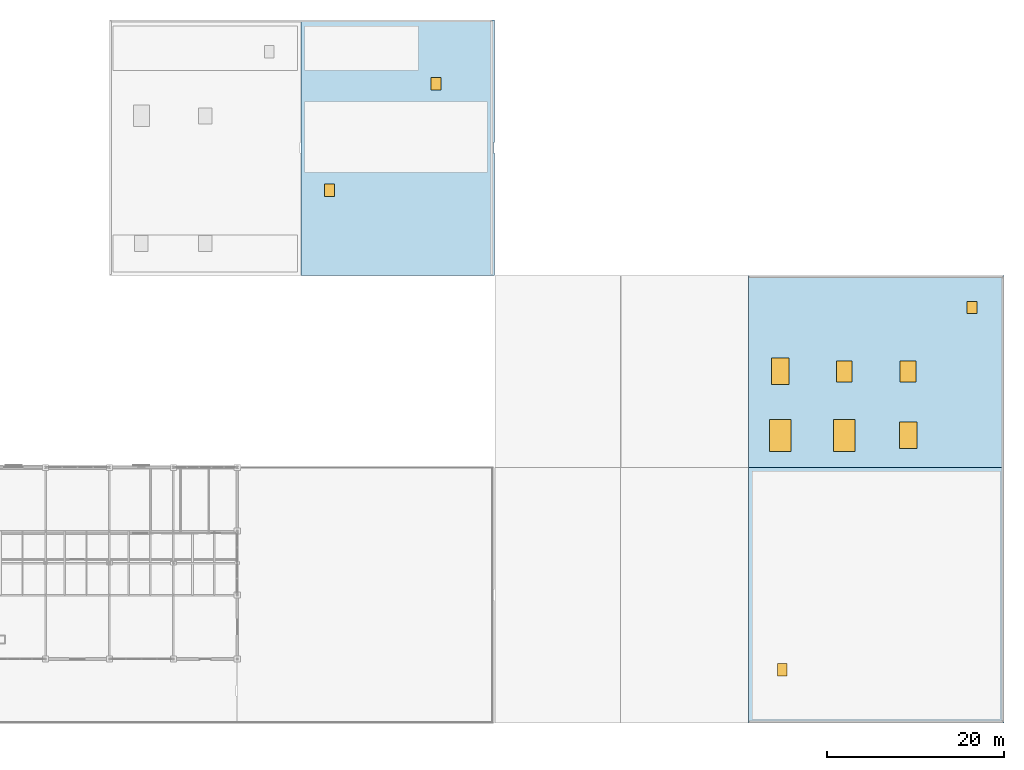
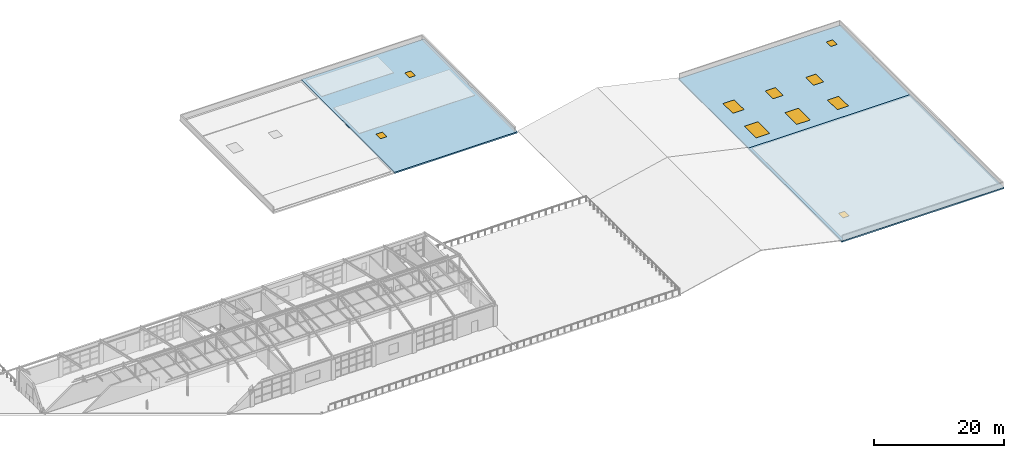
# One storey, part 88 of 101: 6 windows, 4 doors, 3 slabs, 10 openings.
"""IFC4 building model written with IfcOpenShell, lengths in metres."""

from ifc_helpers import new_model, si_unit, direction, frame, origin, origin_2d, place, context, subcontext, project, spatial, polyline, rectangle, outline, extrude, material, layer, layer_set, type_object, element, fill, save


model = new_model("IFC4")

# Units and contexts
model_context = context("Model", 3, precision=1e-05, world=origin(), true_north=direction((0.0, 1.0)))
body_context = subcontext(model_context, "Body", "Model", "MODEL_VIEW")
ifc_project = project(units=[si_unit("LENGTHUNIT", "METRE"), si_unit("AREAUNIT", "SQUARE_METRE"), si_unit("VOLUMEUNIT", "CUBIC_METRE"), si_unit("PLANEANGLEUNIT", "RADIAN"), si_unit("MASSUNIT", "GRAM", prefix="KILO")], contexts=[model_context])

# Site, building, storey
site_placement = place(None, origin())
site = spatial("IfcSite", under=ifc_project, at=site_placement, CompositionType="ELEMENT")
building_placement = place(site_placement, origin())
building = spatial("IfcBuilding", under=site, at=building_placement, Name="Kemerveld Promenade Tramway Depot", CompositionType="ELEMENT")
storey_placement = place(building_placement, frame((0.0, 0.0, 9.89990234375)))
storey = spatial("IfcBuildingStorey", under=building, at=storey_placement, Name="L02", CompositionType="ELEMENT", Elevation=9.89990234375)

# Slab, openings, door, windows
ifc_material_1 = material(Name="Concrete C35/45", Category="concrete")
ifc_layer_1 = layer(ifc_material_1, 0.179931640625)
ifc_layer_set_1 = layer_set([ifc_layer_1], Name="SL-RF01")
slab_type_1 = type_object("IfcSlabType", Name="SL-RF01", PredefinedType="ROOF", material=ifc_layer_set_1)
slab_1_placement = place(storey_placement, frame((0.0, 0.0, -0.179931640625)))
slab_1 = element("IfcSlab", 1, at=slab_1_placement, inside=storey, type_object=slab_type_1, Name="SLB-RF-V2-NE", PredefinedType="ROOF", context=body_context, shape_type="SweptSolid", body=[
    extrude(outline(polyline([(187.199951171875, 28.800048828125), (216.0, 28.800048828125), (216.0, 39.0), (215.860107421875, 39.0), (215.860107421875, 40.199951171875), (216.0, 40.199951171875), (216.0, 50.39990234375), (187.199951171875, 50.39990234375), (187.199951171875, 28.800048828125)])), origin(), (0.0, 0.0, 1.0), 0.179931640625),
])
opening_1_placement = place(slab_1_placement, frame((190.800048828125, 32.39990234375, 0.0)))
opening_1 = element("IfcOpeningElement", 2, at=opening_1_placement, cuts=slab_1, Name="Opening SK-01", PredefinedType="OPENING", context=body_context, shape_type="SweptSolid", body=[
    extrude(rectangle(XDim=2.39990234375, YDim=3.60009765625, at=origin_2d()), frame((0.0, 0.0, -0.010009765625)), (0.0, 0.0, 1.0), 0.199951171875),
])
opening_2_placement = place(slab_1_placement, frame((198.0, 32.39990234375, 0.0)))
opening_2 = element("IfcOpeningElement", 3, at=opening_2_placement, cuts=slab_1, Name="Opening SK-02", PredefinedType="OPENING", context=body_context, shape_type="SweptSolid", body=[
    extrude(rectangle(XDim=2.39990234375, YDim=3.60009765625, at=origin_2d()), frame((0.0, 0.0, -0.010009765625)), (0.0, 0.0, 1.0), 0.199951171875),
])
opening_3_placement = place(slab_1_placement, frame((205.199951171875, 32.39990234375, 0.0)))
opening_3 = element("IfcOpeningElement", 4, at=opening_3_placement, cuts=slab_1, Name="Opening SK-03", PredefinedType="OPENING", context=body_context, shape_type="SweptSolid", body=[
    extrude(rectangle(XDim=2.0, YDim=3.0, at=origin_2d()), frame((0.0, 0.0, -0.010009765625)), (0.0, 0.0, 1.0), 0.199951171875),
])
opening_4_placement = place(slab_1_placement, frame((190.800048828125, 39.60009765625, 0.0)))
opening_4 = element("IfcOpeningElement", 5, at=opening_4_placement, cuts=slab_1, Name="Opening SK-04", PredefinedType="OPENING", context=body_context, shape_type="SweptSolid", body=[
    extrude(rectangle(XDim=2.0, YDim=3.0, at=origin_2d()), frame((0.0, 0.0, -0.010009765625)), (0.0, 0.0, 1.0), 0.199951171875),
])
opening_5_placement = place(slab_1_placement, frame((198.0, 39.60009765625, 0.0)))
opening_5 = element("IfcOpeningElement", 6, at=opening_5_placement, cuts=slab_1, Name="Opening SK-05", PredefinedType="OPENING", context=body_context, shape_type="SweptSolid", body=[
    extrude(rectangle(XDim=1.800048828125, YDim=2.39990234375, at=origin_2d()), frame((0.0, 0.0, -0.010009765625)), (0.0, 0.0, 1.0), 0.199951171875),
])
opening_6_placement = place(slab_1_placement, frame((205.199951171875, 39.60009765625, 0.0)))
opening_6 = element("IfcOpeningElement", 7, at=opening_6_placement, cuts=slab_1, Name="Opening SK-06", PredefinedType="OPENING", context=body_context, shape_type="SweptSolid", body=[
    extrude(rectangle(XDim=1.800048828125, YDim=2.39990234375, at=origin_2d()), frame((0.0, 0.0, -0.010009765625)), (0.0, 0.0, 1.0), 0.199951171875),
])
opening_7_placement = place(slab_1_placement, frame((212.39990234375, 46.800048828125, 0.0)))
opening_7 = element("IfcOpeningElement", 8, at=opening_7_placement, cuts=slab_1, Name="Opening HT-01", PredefinedType="OPENING", context=body_context, shape_type="SweptSolid", body=[
    extrude(rectangle(XDim=1.10009765625, YDim=1.39990234375, at=origin_2d()), frame((0.0, 0.0, -0.010009765625)), (0.0, 0.0, 1.0), 0.199951171875),
])
ifc_material_2 = material(Name="Insulated aluminium smoke and maintenance roof hatch", Category="aluminium")
door_type = type_object("IfcDoorType", Name="DR-TRAP1", OperationType="SINGLE_SWING_LEFT", PredefinedType="TRAPDOOR", material=ifc_material_2)
door_1_placement = place(opening_7_placement, frame((0.0, 0.0, 0.1298828125)))
door_1 = element("IfcDoor", 9, at=door_1_placement, inside=storey, type_object=door_type, Name="HT-01", OperationType="SINGLE_SWING_LEFT", OverallHeight=1.39990234375, OverallWidth=1.10009765625, PredefinedType="TRAPDOOR", context=body_context, shape_type="SweptSolid", body=[
    extrude(rectangle(XDim=1.10009765625, YDim=1.39990234375, at=origin_2d()), origin(), (0.0, 0.0, 1.0), 0.050048828125),
])
fill(opening_7, door_1)
ifc_material_3 = material(Name="Thermally broken aluminium and laminated safety glass", Category="aluminium")
window_type_1 = type_object("IfcWindowType", Name="SK-01", PartitioningType="SINGLE_PANEL", PredefinedType="SKYLIGHT", material=ifc_material_3)
window_1_placement = place(opening_1_placement, frame((0.0, 0.0, 0.1298828125)))
window_1 = element("IfcWindow", 10, at=window_1_placement, inside=storey, type_object=window_type_1, Name="SKY-01", OverallHeight=3.60009765625, OverallWidth=2.39990234375, PartitioningType="SINGLE_PANEL", PredefinedType="SKYLIGHT", context=body_context, shape_type="SweptSolid", body=[
    extrude(rectangle(XDim=2.39990234375, YDim=3.60009765625, at=origin_2d()), origin(), (0.0, 0.0, 1.0), 0.050048828125),
])
fill(opening_1, window_1)
window_2_placement = place(opening_2_placement, frame((0.0, 0.0, 0.1298828125)))
window_2 = element("IfcWindow", 11, at=window_2_placement, inside=storey, type_object=window_type_1, Name="SKY-02", OverallHeight=3.60009765625, OverallWidth=2.39990234375, PartitioningType="SINGLE_PANEL", PredefinedType="SKYLIGHT", context=body_context, shape_type="SweptSolid", body=[
    extrude(rectangle(XDim=2.39990234375, YDim=3.60009765625, at=origin_2d()), origin(), (0.0, 0.0, 1.0), 0.050048828125),
])
fill(opening_2, window_2)
window_type_2 = type_object("IfcWindowType", Name="SK-02", PartitioningType="SINGLE_PANEL", PredefinedType="SKYLIGHT", material=ifc_material_3)
window_3_placement = place(opening_3_placement, frame((0.0, 0.0, 0.1298828125)))
window_3 = element("IfcWindow", 12, at=window_3_placement, inside=storey, type_object=window_type_2, Name="SKY-03", OverallHeight=3.0, OverallWidth=2.0, PartitioningType="SINGLE_PANEL", PredefinedType="SKYLIGHT", context=body_context, shape_type="SweptSolid", body=[
    extrude(rectangle(XDim=2.0, YDim=3.0, at=origin_2d()), origin(), (0.0, 0.0, 1.0), 0.050048828125),
])
fill(opening_3, window_3)
window_4_placement = place(opening_4_placement, frame((0.0, 0.0, 0.1298828125)))
window_4 = element("IfcWindow", 13, at=window_4_placement, inside=storey, type_object=window_type_2, Name="SKY-04", OverallHeight=3.0, OverallWidth=2.0, PartitioningType="SINGLE_PANEL", PredefinedType="SKYLIGHT", context=body_context, shape_type="SweptSolid", body=[
    extrude(rectangle(XDim=2.0, YDim=3.0, at=origin_2d()), origin(), (0.0, 0.0, 1.0), 0.050048828125),
])
fill(opening_4, window_4)
window_type_3 = type_object("IfcWindowType", Name="SK-03", PartitioningType="SINGLE_PANEL", PredefinedType="SKYLIGHT", material=ifc_material_3)
window_5_placement = place(opening_5_placement, frame((0.0, 0.0, 0.1298828125)))
window_5 = element("IfcWindow", 14, at=window_5_placement, inside=storey, type_object=window_type_3, Name="SKY-05", OverallHeight=2.39990234375, OverallWidth=1.800048828125, PartitioningType="SINGLE_PANEL", PredefinedType="SKYLIGHT", context=body_context, shape_type="SweptSolid", body=[
    extrude(rectangle(XDim=1.800048828125, YDim=2.39990234375, at=origin_2d()), origin(), (0.0, 0.0, 1.0), 0.050048828125),
])
fill(opening_5, window_5)
window_6_placement = place(opening_6_placement, frame((0.0, 0.0, 0.1298828125)))
window_6 = element("IfcWindow", 15, at=window_6_placement, inside=storey, type_object=window_type_3, Name="SKY-06", OverallHeight=2.39990234375, OverallWidth=1.800048828125, PartitioningType="SINGLE_PANEL", PredefinedType="SKYLIGHT", context=body_context, shape_type="SweptSolid", body=[
    extrude(rectangle(XDim=1.800048828125, YDim=2.39990234375, at=origin_2d()), origin(), (0.0, 0.0, 1.0), 0.050048828125),
])
fill(opening_6, window_6)

# Slab, openings, doors
ifc_layer_2 = layer(ifc_material_1, 0.260009765625)
ifc_layer_set_2 = layer_set([ifc_layer_2], Name="SL-RF05")
slab_type_2 = type_object("IfcSlabType", Name="SL-RF05", PredefinedType="ROOF", material=ifc_layer_set_2)
slab_2_placement = place(storey_placement, frame((0.0, 0.0, -0.260009765625)))
slab_2 = element("IfcSlab", 16, at=slab_2_placement, inside=storey, type_object=slab_type_2, Name="SLB-RF-V3-EAST", PredefinedType="ROOF", context=body_context, shape_type="SweptSolid", body=[
    extrude(outline(polyline([(136.800048828125, 50.39990234375), (158.60009765625, 50.39990234375), (158.60009765625, 64.199951171875), (158.4599609375, 64.199951171875), (158.4599609375, 65.39990234375), (158.60009765625, 65.39990234375), (158.60009765625, 79.199951171875), (136.800048828125, 79.199951171875), (136.800048828125, 50.39990234375)])), origin(), (0.0, 0.0, 1.0), 0.260009765625),
])
opening_8_placement = place(slab_2_placement, frame((140.0, 60.0, 0.0)))
opening_8 = element("IfcOpeningElement", 17, at=opening_8_placement, cuts=slab_2, Name="Opening HT-04", PredefinedType="OPENING", context=body_context, shape_type="SweptSolid", body=[
    extrude(rectangle(XDim=1.10009765625, YDim=1.39990234375, at=origin_2d()), frame((0.0, 0.0, -0.010009765625)), (0.0, 0.0, 1.0), 0.280029296875),
])
opening_9_placement = place(slab_2_placement, frame((152.0, 72.0, 0.0)))
opening_9 = element("IfcOpeningElement", 18, at=opening_9_placement, cuts=slab_2, Name="Opening HT-05", PredefinedType="OPENING", context=body_context, shape_type="SweptSolid", body=[
    extrude(rectangle(XDim=1.10009765625, YDim=1.39990234375, at=origin_2d()), frame((0.0, 0.0, -0.010009765625)), (0.0, 0.0, 1.0), 0.280029296875),
])
door_2_placement = place(opening_8_placement, frame((0.0, 0.0, 0.2099609375)))
door_2 = element("IfcDoor", 19, at=door_2_placement, inside=storey, type_object=door_type, Name="HT-04", OperationType="SINGLE_SWING_LEFT", OverallHeight=1.39990234375, OverallWidth=1.10009765625, PredefinedType="TRAPDOOR", context=body_context, shape_type="SweptSolid", body=[
    extrude(rectangle(XDim=1.10009765625, YDim=1.39990234375, at=origin_2d()), origin(), (0.0, 0.0, 1.0), 0.050048828125),
])
fill(opening_8, door_2)
door_3_placement = place(opening_9_placement, frame((0.0, 0.0, 0.2099609375)))
door_3 = element("IfcDoor", 20, at=door_3_placement, inside=storey, type_object=door_type, Name="HT-05", OperationType="SINGLE_SWING_LEFT", OverallHeight=1.39990234375, OverallWidth=1.10009765625, PredefinedType="TRAPDOOR", context=body_context, shape_type="SweptSolid", body=[
    extrude(rectangle(XDim=1.10009765625, YDim=1.39990234375, at=origin_2d()), origin(), (0.0, 0.0, 1.0), 0.050048828125),
])
fill(opening_9, door_3)

# Slab, opening, door
slab_3_placement = place(storey_placement, frame((0.0, 0.0, -0.260009765625)))
slab_3 = element("IfcSlab", 21, at=slab_3_placement, inside=storey, type_object=slab_type_2, Name="SLB-RF-V2-SE", PredefinedType="ROOF", context=body_context, shape_type="SweptSolid", body=[
    extrude(outline(polyline([(187.199951171875, 0.0), (216.0, 0.0), (216.0, 13.800048828125), (215.860107421875, 13.800048828125), (215.860107421875, 15.0), (216.0, 15.0), (216.0, 28.800048828125), (187.199951171875, 28.800048828125), (187.199951171875, 0.0)])), origin(), (0.0, 0.0, 1.0), 0.260009765625),
])
opening_10_placement = place(slab_3_placement, frame((191.0, 6.0, 0.0)))
opening_10 = element("IfcOpeningElement", 22, at=opening_10_placement, cuts=slab_3, Name="Opening HT-02", PredefinedType="OPENING", context=body_context, shape_type="SweptSolid", body=[
    extrude(rectangle(XDim=1.10009765625, YDim=1.39990234375, at=origin_2d()), frame((0.0, 0.0, -0.010009765625)), (0.0, 0.0, 1.0), 0.280029296875),
])
door_4_placement = place(opening_10_placement, frame((0.0, 0.0, 0.2099609375)))
door_4 = element("IfcDoor", 23, at=door_4_placement, inside=storey, type_object=door_type, Name="HT-02", OperationType="SINGLE_SWING_LEFT", OverallHeight=1.39990234375, OverallWidth=1.10009765625, PredefinedType="TRAPDOOR", context=body_context, shape_type="SweptSolid", body=[
    extrude(rectangle(XDim=1.10009765625, YDim=1.39990234375, at=origin_2d()), origin(), (0.0, 0.0, 1.0), 0.050048828125),
])
fill(opening_10, door_4)

save(model, "model.ifc")
